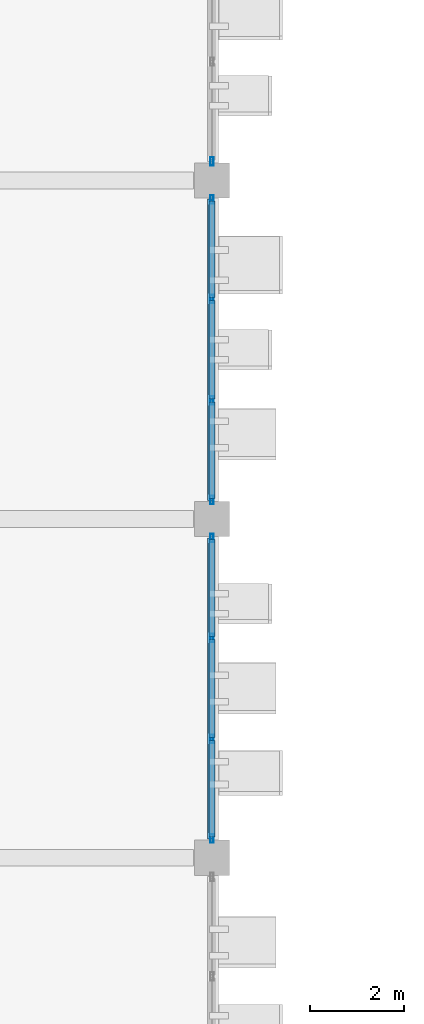
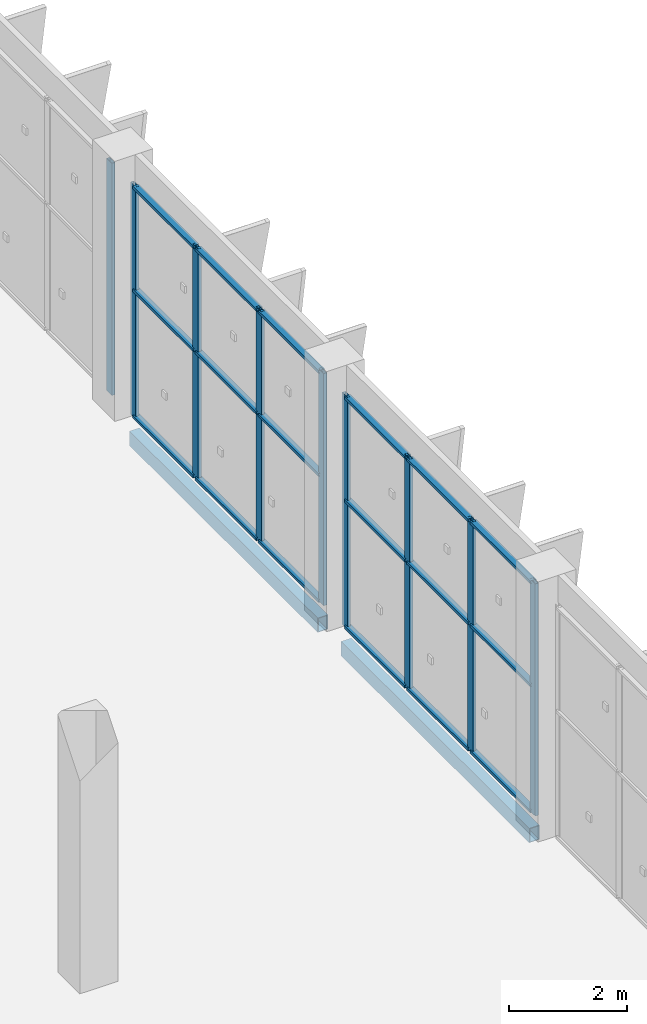
# One storey, part 71 of 189: 27 members, 2 beams, 3 elements without a shape of their own.
"""IFC4 building model written with IfcOpenShell, lengths in metres."""

from ifc_helpers import new_model, si_unit, direction, frame, origin, origin_2d, place, context, subcontext, project, spatial, hollow_rectangle, extrude, material, layer, layer_set, material_profile, profile_set, type_object, element, aggregate, save


model = new_model("IFC4")

# Units and contexts
model_context = context("Model", 3, precision=1e-05, world=origin(), true_north=direction((0.0, 1.0)))
body_context = subcontext(model_context, "Body", "Model", "MODEL_VIEW")
ifc_project = project(units=[si_unit("LENGTHUNIT", "METRE"), si_unit("AREAUNIT", "SQUARE_METRE"), si_unit("VOLUMEUNIT", "CUBIC_METRE"), si_unit("PLANEANGLEUNIT", "RADIAN"), si_unit("MASSUNIT", "GRAM", prefix="KILO")], contexts=[model_context])

# Site, building, storey
site_placement = place(None, origin())
site = spatial("IfcSite", under=ifc_project, at=site_placement, CompositionType="ELEMENT")
building_placement = place(site_placement, origin())
building = spatial("IfcBuilding", under=site, at=building_placement, Name="Celestram Park Convention Centre", CompositionType="ELEMENT")
storey_placement = place(building_placement, frame((0.0, 0.0, 5.39990234375)))
storey = spatial("IfcBuildingStorey", under=building, at=storey_placement, Name="L01", CompositionType="ELEMENT", Elevation=5.39990234375)

# Curtain wall, member
ifc_material_1 = material(Name="Anodised Aluminium Alloy 6063-T6", Category="aluminium")
ifc_layer = layer(ifc_material_1, 0.179931640625)
ifc_layer_set = layer_set([ifc_layer], Name="Anodised Aluminium Alloy 6063-T6")
curtain_wall_type = type_object("IfcCurtainWallType", Name="ARC-CW-645X482", PredefinedType="NOTDEFINED", material=ifc_layer_set)
curtain_wall_1_placement = place(storey_placement, origin())
curtain_wall_1 = element("IfcCurtainWall", 1, at=curtain_wall_1_placement, inside=storey, type_object=curtain_wall_type, Name="Unitised curtain wall CU-L01-089", PredefinedType="NOTDEFINED")
ifc_material_profile_1 = material_profile(ifc_material_1, hollow_rectangle(XDim=0.06494140625, YDim=0.179931640625, WallThickness=0.00390625, at=origin_2d()), Name="ALU65X180X4")
ifc_profile_set_1 = profile_set([ifc_material_profile_1], Name="Anodised Aluminium Alloy 6063-T6")
member_type_1 = type_object("IfcMemberType", Name="ARC-CWM-150", PredefinedType="MULLION", material=ifc_profile_set_1)
member_1_placement = place(storey_placement, frame((144.0, 94.005615234375, 0.0), z_axis=(0.0, 0.0, 1.0), x_axis=(1.0, 0.0, 0.0)))
member_1 = element("IfcMember", 2, at=member_1_placement, type_object=member_type_1, Name="CW-64X48 mullion 4", PredefinedType="MULLION", context=body_context, shape_type="SweptSolid", body=[
    extrude(hollow_rectangle(XDim=0.06494140625, YDim=0.179931640625, WallThickness=0.00390625, at=origin_2d()), origin(), (0.0, 0.0, 1.0), 4.820068359375),
])
aggregate(curtain_wall_1, [member_1])

# Curtain wall, members
curtain_wall_2_placement = place(storey_placement, origin())
curtain_wall_2 = element("IfcCurtainWall", 3, at=curtain_wall_2_placement, inside=storey, type_object=curtain_wall_type, Name="Unitised curtain wall CU-L01-090", PredefinedType="NOTDEFINED")
member_2_placement = place(storey_placement, frame((144.0, 93.194580078125, 0.0), z_axis=(0.0, 0.0, 1.0), x_axis=(1.0, 0.0, 0.0)))
member_2 = element("IfcMember", 4, at=member_2_placement, type_object=member_type_1, Name="CW-64X48 mullion 1", PredefinedType="MULLION", context=body_context, shape_type="SweptSolid", body=[
    extrude(hollow_rectangle(XDim=0.06494140625, YDim=0.179931640625, WallThickness=0.00390625, at=origin_2d()), origin(), (0.0, 0.0, 1.0), 4.820068359375),
])
member_3_placement = place(storey_placement, frame((144.0, 91.07568359375, 0.0), z_axis=(0.0, 0.0, 1.0), x_axis=(1.0, 0.0, 0.0)))
member_3 = element("IfcMember", 5, at=member_3_placement, type_object=member_type_1, Name="CW-64X48 mullion 2", PredefinedType="MULLION", context=body_context, shape_type="SweptSolid", body=[
    extrude(hollow_rectangle(XDim=0.06494140625, YDim=0.179931640625, WallThickness=0.00390625, at=origin_2d()), origin(), (0.0, 0.0, 1.0), 4.820068359375),
])
member_4_placement = place(storey_placement, frame((144.0, 88.92431640625, 0.0), z_axis=(0.0, 0.0, 1.0), x_axis=(1.0, 0.0, 0.0)))
member_4 = element("IfcMember", 6, at=member_4_placement, type_object=member_type_1, Name="CW-64X48 mullion 3", PredefinedType="MULLION", context=body_context, shape_type="SweptSolid", body=[
    extrude(hollow_rectangle(XDim=0.06494140625, YDim=0.179931640625, WallThickness=0.00390625, at=origin_2d()), origin(), (0.0, 0.0, 1.0), 4.820068359375),
])
member_5_placement = place(storey_placement, frame((144.0, 86.805419921875, 0.0), z_axis=(0.0, 0.0, 1.0), x_axis=(1.0, 0.0, 0.0)))
member_5 = element("IfcMember", 7, at=member_5_placement, type_object=member_type_1, Name="CW-64X48 mullion 4", PredefinedType="MULLION", context=body_context, shape_type="SweptSolid", body=[
    extrude(hollow_rectangle(XDim=0.06494140625, YDim=0.179931640625, WallThickness=0.00390625, at=origin_2d()), origin(), (0.0, 0.0, 1.0), 4.820068359375),
])

curtain_wall_3_placement = place(storey_placement, origin())
curtain_wall_3 = element("IfcCurtainWall", 8, at=curtain_wall_3_placement, inside=storey, type_object=curtain_wall_type, Name="Unitised curtain wall CU-L01-091", PredefinedType="NOTDEFINED")
member_6_placement = place(storey_placement, frame((144.0, 85.994384765625, 0.0), z_axis=(0.0, 0.0, 1.0), x_axis=(1.0, 0.0, 0.0)))
member_6 = element("IfcMember", 9, at=member_6_placement, type_object=member_type_1, Name="CW-64X48 mullion 1", PredefinedType="MULLION", context=body_context, shape_type="SweptSolid", body=[
    extrude(hollow_rectangle(XDim=0.06494140625, YDim=0.179931640625, WallThickness=0.00390625, at=origin_2d()), origin(), (0.0, 0.0, 1.0), 4.820068359375),
])
member_7_placement = place(storey_placement, frame((144.0, 83.875732421875, 0.0), z_axis=(0.0, 0.0, 1.0), x_axis=(1.0, 0.0, 0.0)))
member_7 = element("IfcMember", 10, at=member_7_placement, type_object=member_type_1, Name="CW-64X48 mullion 2", PredefinedType="MULLION", context=body_context, shape_type="SweptSolid", body=[
    extrude(hollow_rectangle(XDim=0.06494140625, YDim=0.179931640625, WallThickness=0.00390625, at=origin_2d()), origin(), (0.0, 0.0, 1.0), 4.820068359375),
])
member_8_placement = place(storey_placement, frame((144.0, 81.724365234375, 0.0), z_axis=(0.0, 0.0, 1.0), x_axis=(1.0, 0.0, 0.0)))
member_8 = element("IfcMember", 11, at=member_8_placement, type_object=member_type_1, Name="CW-64X48 mullion 3", PredefinedType="MULLION", context=body_context, shape_type="SweptSolid", body=[
    extrude(hollow_rectangle(XDim=0.06494140625, YDim=0.179931640625, WallThickness=0.00390625, at=origin_2d()), origin(), (0.0, 0.0, 1.0), 4.820068359375),
])
member_9_placement = place(storey_placement, frame((144.0, 79.60546875, 0.0), z_axis=(0.0, 0.0, 1.0), x_axis=(1.0, 0.0, 0.0)))
member_9 = element("IfcMember", 12, at=member_9_placement, type_object=member_type_1, Name="CW-64X48 mullion 4", PredefinedType="MULLION", context=body_context, shape_type="SweptSolid", body=[
    extrude(hollow_rectangle(XDim=0.06494140625, YDim=0.179931640625, WallThickness=0.00390625, at=origin_2d()), origin(), (0.0, 0.0, 1.0), 4.820068359375),
])

# Member
ifc_material_profile_2 = material_profile(ifc_material_1, hollow_rectangle(XDim=0.1201171875, YDim=0.06005859375, WallThickness=0.0029296875, at=origin_2d()), Name="ALU120X60X3")
ifc_profile_set_2 = profile_set([ifc_material_profile_2], Name="Anodised Aluminium Alloy 6063-T6")
member_type_2 = type_object("IfcMemberType", Name="ARC-CWT-120", PredefinedType="USERDEFINED", material=ifc_profile_set_2)
member_10_placement = place(storey_placement, frame((144.0, 93.162109375, 0.030029296875), z_axis=(0.0, -1.0, 0.0), x_axis=(1.0, 0.0, 0.0)))
member_10 = element("IfcMember", 13, at=member_10_placement, type_object=member_type_2, Name="CW-64X48 transom 1.1", ObjectType="TRANSOM", PredefinedType="USERDEFINED", context=body_context, shape_type="SweptSolid", body=[
    extrude(hollow_rectangle(XDim=0.1201171875, YDim=0.06005859375, WallThickness=0.0029296875, at=origin_2d()), origin(), (0.0, 0.0, 1.0), 2.053955078125),
])

member_11_placement = place(storey_placement, frame((144.0, 93.162109375, 2.650146484375), z_axis=(0.0, -1.0, 0.0), x_axis=(1.0, 0.0, 0.0)))
member_11 = element("IfcMember", 14, at=member_11_placement, type_object=member_type_2, Name="CW-64X48 transom 1.2", ObjectType="TRANSOM", PredefinedType="USERDEFINED", context=body_context, shape_type="SweptSolid", body=[
    extrude(hollow_rectangle(XDim=0.1201171875, YDim=0.06005859375, WallThickness=0.0029296875, at=origin_2d()), origin(), (0.0, 0.0, 1.0), 2.053955078125),
])

member_12_placement = place(storey_placement, frame((144.0, 93.162109375, 4.7900390625), z_axis=(0.0, -1.0, 0.0), x_axis=(1.0, 0.0, 0.0)))
member_12 = element("IfcMember", 15, at=member_12_placement, type_object=member_type_2, Name="CW-64X48 transom 1.3", ObjectType="TRANSOM", PredefinedType="USERDEFINED", context=body_context, shape_type="SweptSolid", body=[
    extrude(hollow_rectangle(XDim=0.1201171875, YDim=0.06005859375, WallThickness=0.0029296875, at=origin_2d()), origin(), (0.0, 0.0, 1.0), 2.053955078125),
])

member_13_placement = place(storey_placement, frame((144.0, 91.043212890625, 0.030029296875), z_axis=(0.0, -1.0, 0.0), x_axis=(1.0, 0.0, 0.0)))
member_13 = element("IfcMember", 16, at=member_13_placement, type_object=member_type_2, Name="CW-64X48 transom 2.1", ObjectType="TRANSOM", PredefinedType="USERDEFINED", context=body_context, shape_type="SweptSolid", body=[
    extrude(hollow_rectangle(XDim=0.1201171875, YDim=0.06005859375, WallThickness=0.0029296875, at=origin_2d()), origin(), (0.0, 0.0, 1.0), 2.08642578125),
])

member_14_placement = place(storey_placement, frame((144.0, 91.043212890625, 2.650146484375), z_axis=(0.0, -1.0, 0.0), x_axis=(1.0, 0.0, 0.0)))
member_14 = element("IfcMember", 17, at=member_14_placement, type_object=member_type_2, Name="CW-64X48 transom 2.2", ObjectType="TRANSOM", PredefinedType="USERDEFINED", context=body_context, shape_type="SweptSolid", body=[
    extrude(hollow_rectangle(XDim=0.1201171875, YDim=0.06005859375, WallThickness=0.0029296875, at=origin_2d()), origin(), (0.0, 0.0, 1.0), 2.08642578125),
])

member_15_placement = place(storey_placement, frame((144.0, 91.043212890625, 4.7900390625), z_axis=(0.0, -1.0, 0.0), x_axis=(1.0, 0.0, 0.0)))
member_15 = element("IfcMember", 18, at=member_15_placement, type_object=member_type_2, Name="CW-64X48 transom 2.3", ObjectType="TRANSOM", PredefinedType="USERDEFINED", context=body_context, shape_type="SweptSolid", body=[
    extrude(hollow_rectangle(XDim=0.1201171875, YDim=0.06005859375, WallThickness=0.0029296875, at=origin_2d()), origin(), (0.0, 0.0, 1.0), 2.08642578125),
])

member_16_placement = place(storey_placement, frame((144.0, 88.891845703125, 0.030029296875), z_axis=(0.0, -1.0, 0.0), x_axis=(1.0, 0.0, 0.0)))
member_16 = element("IfcMember", 19, at=member_16_placement, type_object=member_type_2, Name="CW-64X48 transom 3.1", ObjectType="TRANSOM", PredefinedType="USERDEFINED", context=body_context, shape_type="SweptSolid", body=[
    extrude(hollow_rectangle(XDim=0.1201171875, YDim=0.06005859375, WallThickness=0.0029296875, at=origin_2d()), origin(), (0.0, 0.0, 1.0), 2.053955078125),
])

member_17_placement = place(storey_placement, frame((144.0, 88.891845703125, 2.650146484375), z_axis=(0.0, -1.0, 0.0), x_axis=(1.0, 0.0, 0.0)))
member_17 = element("IfcMember", 20, at=member_17_placement, type_object=member_type_2, Name="CW-64X48 transom 3.2", ObjectType="TRANSOM", PredefinedType="USERDEFINED", context=body_context, shape_type="SweptSolid", body=[
    extrude(hollow_rectangle(XDim=0.1201171875, YDim=0.06005859375, WallThickness=0.0029296875, at=origin_2d()), origin(), (0.0, 0.0, 1.0), 2.053955078125),
])

member_18_placement = place(storey_placement, frame((144.0, 88.891845703125, 4.7900390625), z_axis=(0.0, -1.0, 0.0), x_axis=(1.0, 0.0, 0.0)))
member_18 = element("IfcMember", 21, at=member_18_placement, type_object=member_type_2, Name="CW-64X48 transom 3.3", ObjectType="TRANSOM", PredefinedType="USERDEFINED", context=body_context, shape_type="SweptSolid", body=[
    extrude(hollow_rectangle(XDim=0.1201171875, YDim=0.06005859375, WallThickness=0.0029296875, at=origin_2d()), origin(), (0.0, 0.0, 1.0), 2.053955078125),
])

aggregate(curtain_wall_2, [member_2, member_3, member_4, member_5, member_10, member_11, member_12, member_13, member_14, member_15, member_16, member_17, member_18])

member_19_placement = place(storey_placement, frame((144.0, 85.9619140625, 0.030029296875), z_axis=(0.0, -1.0, 0.0), x_axis=(1.0, 0.0, 0.0)))
member_19 = element("IfcMember", 22, at=member_19_placement, type_object=member_type_2, Name="CW-64X48 transom 1.1", ObjectType="TRANSOM", PredefinedType="USERDEFINED", context=body_context, shape_type="SweptSolid", body=[
    extrude(hollow_rectangle(XDim=0.1201171875, YDim=0.06005859375, WallThickness=0.0029296875, at=origin_2d()), origin(), (0.0, 0.0, 1.0), 2.0537109375),
])

member_20_placement = place(storey_placement, frame((144.0, 85.9619140625, 2.650146484375), z_axis=(0.0, -1.0, 0.0), x_axis=(1.0, 0.0, 0.0)))
member_20 = element("IfcMember", 23, at=member_20_placement, type_object=member_type_2, Name="CW-64X48 transom 1.2", ObjectType="TRANSOM", PredefinedType="USERDEFINED", context=body_context, shape_type="SweptSolid", body=[
    extrude(hollow_rectangle(XDim=0.1201171875, YDim=0.06005859375, WallThickness=0.0029296875, at=origin_2d()), origin(), (0.0, 0.0, 1.0), 2.0537109375),
])

member_21_placement = place(storey_placement, frame((144.0, 85.9619140625, 4.7900390625), z_axis=(0.0, -1.0, 0.0), x_axis=(1.0, 0.0, 0.0)))
member_21 = element("IfcMember", 24, at=member_21_placement, type_object=member_type_2, Name="CW-64X48 transom 1.3", ObjectType="TRANSOM", PredefinedType="USERDEFINED", context=body_context, shape_type="SweptSolid", body=[
    extrude(hollow_rectangle(XDim=0.1201171875, YDim=0.06005859375, WallThickness=0.0029296875, at=origin_2d()), origin(), (0.0, 0.0, 1.0), 2.0537109375),
])

member_22_placement = place(storey_placement, frame((144.0, 83.84326171875, 0.030029296875), z_axis=(0.0, -1.0, 0.0), x_axis=(1.0, 0.0, 0.0)))
member_22 = element("IfcMember", 25, at=member_22_placement, type_object=member_type_2, Name="CW-64X48 transom 2.1", ObjectType="TRANSOM", PredefinedType="USERDEFINED", context=body_context, shape_type="SweptSolid", body=[
    extrude(hollow_rectangle(XDim=0.1201171875, YDim=0.06005859375, WallThickness=0.0029296875, at=origin_2d()), origin(), (0.0, 0.0, 1.0), 2.08642578125),
])

member_23_placement = place(storey_placement, frame((144.0, 83.84326171875, 2.650146484375), z_axis=(0.0, -1.0, 0.0), x_axis=(1.0, 0.0, 0.0)))
member_23 = element("IfcMember", 26, at=member_23_placement, type_object=member_type_2, Name="CW-64X48 transom 2.2", ObjectType="TRANSOM", PredefinedType="USERDEFINED", context=body_context, shape_type="SweptSolid", body=[
    extrude(hollow_rectangle(XDim=0.1201171875, YDim=0.06005859375, WallThickness=0.0029296875, at=origin_2d()), origin(), (0.0, 0.0, 1.0), 2.08642578125),
])

member_24_placement = place(storey_placement, frame((144.0, 83.84326171875, 4.7900390625), z_axis=(0.0, -1.0, 0.0), x_axis=(1.0, 0.0, 0.0)))
member_24 = element("IfcMember", 27, at=member_24_placement, type_object=member_type_2, Name="CW-64X48 transom 2.3", ObjectType="TRANSOM", PredefinedType="USERDEFINED", context=body_context, shape_type="SweptSolid", body=[
    extrude(hollow_rectangle(XDim=0.1201171875, YDim=0.06005859375, WallThickness=0.0029296875, at=origin_2d()), origin(), (0.0, 0.0, 1.0), 2.08642578125),
])

member_25_placement = place(storey_placement, frame((144.0, 81.69189453125, 0.030029296875), z_axis=(0.0, -1.0, 0.0), x_axis=(1.0, 0.0, 0.0)))
member_25 = element("IfcMember", 28, at=member_25_placement, type_object=member_type_2, Name="CW-64X48 transom 3.1", ObjectType="TRANSOM", PredefinedType="USERDEFINED", context=body_context, shape_type="SweptSolid", body=[
    extrude(hollow_rectangle(XDim=0.1201171875, YDim=0.06005859375, WallThickness=0.0029296875, at=origin_2d()), origin(), (0.0, 0.0, 1.0), 2.053955078125),
])

member_26_placement = place(storey_placement, frame((144.0, 81.69189453125, 2.650146484375), z_axis=(0.0, -1.0, 0.0), x_axis=(1.0, 0.0, 0.0)))
member_26 = element("IfcMember", 29, at=member_26_placement, type_object=member_type_2, Name="CW-64X48 transom 3.2", ObjectType="TRANSOM", PredefinedType="USERDEFINED", context=body_context, shape_type="SweptSolid", body=[
    extrude(hollow_rectangle(XDim=0.1201171875, YDim=0.06005859375, WallThickness=0.0029296875, at=origin_2d()), origin(), (0.0, 0.0, 1.0), 2.053955078125),
])

member_27_placement = place(storey_placement, frame((144.0, 81.69189453125, 4.7900390625), z_axis=(0.0, -1.0, 0.0), x_axis=(1.0, 0.0, 0.0)))
member_27 = element("IfcMember", 30, at=member_27_placement, type_object=member_type_2, Name="CW-64X48 transom 3.3", ObjectType="TRANSOM", PredefinedType="USERDEFINED", context=body_context, shape_type="SweptSolid", body=[
    extrude(hollow_rectangle(XDim=0.1201171875, YDim=0.06005859375, WallThickness=0.0029296875, at=origin_2d()), origin(), (0.0, 0.0, 1.0), 2.053955078125),
])

aggregate(curtain_wall_3, [member_6, member_7, member_8, member_9, member_19, member_20, member_21, member_22, member_23, member_24, member_25, member_26, member_27])

# Beams
ifc_material_2 = material(Name="Steel ASTM A500 Grade C", Category="steel")
ifc_material_profile_3 = material_profile(ifc_material_2, hollow_rectangle(XDim=0.199951171875, YDim=0.300048828125, WallThickness=0.011962890625, at=origin_2d()), Name="HSS300X200X12")
ifc_profile_set_3 = profile_set([ifc_material_profile_3], Name="Steel ASTM A500 Grade C")
beam_type = type_object("IfcBeamType", Name="STR-SPN-HSS300X200", PredefinedType="SPANDREL", material=ifc_profile_set_3)
beam_1_placement = place(storey_placement, frame((144.0, 79.597900390625, -0.429931640625), z_axis=(0.0, 1.0, 0.0), x_axis=(-1.0, 0.0, 0.0)))
element("IfcBeam", 31, at=beam_1_placement, inside=storey, type_object=beam_type, Name="Primary Y-girder BG-L01-0341", PredefinedType="SPANDREL", context=body_context, shape_type="SweptSolid", body=[
    extrude(hollow_rectangle(XDim=0.199951171875, YDim=0.300048828125, WallThickness=0.011962890625, at=origin_2d()), origin(), (0.0, 0.0, 1.0), 6.404052734375),
])
beam_2_placement = place(storey_placement, frame((144.0, 86.798095703125, -0.429931640625), z_axis=(0.0, 1.0, 0.0), x_axis=(-1.0, 0.0, 0.0)))
element("IfcBeam", 32, at=beam_2_placement, inside=storey, type_object=beam_type, Name="Primary Y-girder BG-L01-0342", PredefinedType="SPANDREL", context=body_context, shape_type="SweptSolid", body=[
    extrude(hollow_rectangle(XDim=0.199951171875, YDim=0.300048828125, WallThickness=0.011962890625, at=origin_2d()), origin(), (0.0, 0.0, 1.0), 6.40380859375),
])

save(model, "model.ifc")
